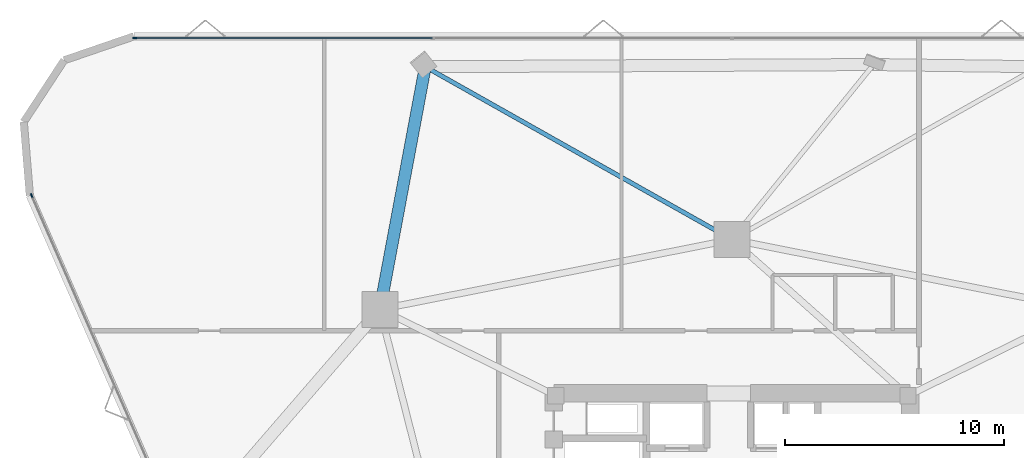
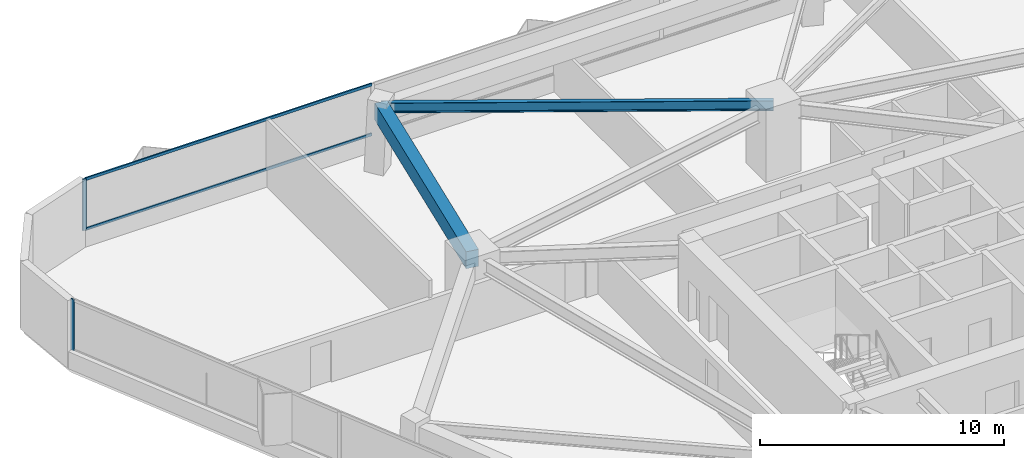
# One storey, part 12 of 20: 4 members, 2 beams, 2 elements without a shape of their own.
"""IFC4 building model written with IfcOpenShell, lengths in metres."""

from ifc_helpers import new_model, si_unit, direction, frame, origin, origin_2d, place, context, subcontext, project, spatial, rectangle, i_section, extrude, material, layer, layer_set, material_profile, profile_set, type_object, element, aggregate, save


model = new_model("IFC4")

# Units and contexts
model_context = context("Model", 3, precision=1e-05, world=origin(), true_north=direction((0.0, 1.0)))
body_context = subcontext(model_context, "Body", "Model", "MODEL_VIEW")
ifc_project = project(units=[si_unit("LENGTHUNIT", "METRE"), si_unit("AREAUNIT", "SQUARE_METRE"), si_unit("VOLUMEUNIT", "CUBIC_METRE"), si_unit("PLANEANGLEUNIT", "RADIAN"), si_unit("MASSUNIT", "GRAM", prefix="KILO")], contexts=[model_context])

# Site, building, storey
site_placement = place(None, origin())
site = spatial("IfcSite", under=ifc_project, at=site_placement, CompositionType="ELEMENT")
building_placement = place(site_placement, origin())
building = spatial("IfcBuilding", under=site, at=building_placement, Name="Talyreon Biosciences Tower", CompositionType="ELEMENT")
storey_placement = place(building_placement, frame((0.0, 0.0, 75.0)))
storey = spatial("IfcBuildingStorey", under=building, at=storey_placement, Name="L19", CompositionType="ELEMENT", Elevation=75.0)

# Curtain wall, member
ifc_material_1 = material(Name="Thermally broken aluminium and low-E glazing", Category="aluminium")
ifc_layer = layer(ifc_material_1, 0.18994140625)
ifc_layer_set = layer_set([ifc_layer], Name="Thermally broken aluminium and low-E glazing")
curtain_wall_type = type_object("IfcCurtainWallType", Name="CurtainWall_Zone2Genomics", PredefinedType="NOTDEFINED", material=ifc_layer_set)
curtain_wall_1_placement = place(storey_placement, origin())
curtain_wall_1 = element("IfcCurtainWall", 1, at=curtain_wall_1_placement, inside=storey, type_object=curtain_wall_type, Name="L19 Unitised Curtain Wall FCW-L19-00", PredefinedType="NOTDEFINED")
ifc_material_2 = material(Name="Anodised thermally broken aluminium", Category="aluminium")
ifc_material_profile_1 = material_profile(ifc_material_2, rectangle(XDim=0.06494140625, YDim=0.179931640625, at=origin_2d()), Name="ALUM MULLION 65x180")
ifc_profile_set_1 = profile_set([ifc_material_profile_1], Name="Anodised thermally broken aluminium")
member_type_1 = type_object("IfcMemberType", Name="CWMullion_65x180", PredefinedType="MULLION", material=ifc_profile_set_1)
member_1_placement = place(storey_placement, frame((33.972412109375, 83.804931640625, 0.81005859375), z_axis=(0.0, 0.0, 1.0), x_axis=(-0.916151953082, -0.400831135099, 0.0)))
member_1 = element("IfcMember", 2, at=member_1_placement, type_object=member_type_1, Name="CW3 mullion 6", PredefinedType="MULLION", context=body_context, shape_type="SweptSolid", body=[
    extrude(rectangle(XDim=0.06494140625, YDim=0.179931640625, at=origin_2d()), origin(), (0.0, 0.0, 1.0), 2.56494140625),
])
aggregate(curtain_wall_1, [member_1])

# Curtain wall, members
curtain_wall_2_placement = place(storey_placement, origin())
curtain_wall_2 = element("IfcCurtainWall", 3, at=curtain_wall_2_placement, inside=storey, type_object=curtain_wall_type, Name="L19 Unitised Curtain Wall FCW-L19-04", PredefinedType="NOTDEFINED")
member_2_placement = place(storey_placement, frame((38.6826171875, 91.007080078125, 0.81005859375), z_axis=(0.0, 0.0, 1.0), x_axis=(0.0, 1.0, 0.0)))
member_2 = element("IfcMember", 4, at=member_2_placement, type_object=member_type_1, Name="CW3 mullion 1", PredefinedType="MULLION", context=body_context, shape_type="SweptSolid", body=[
    extrude(rectangle(XDim=0.06494140625, YDim=0.179931640625, at=origin_2d()), origin(), (0.0, 0.0, 1.0), 2.56494140625),
])
ifc_material_profile_2 = material_profile(ifc_material_2, rectangle(XDim=0.06494140625, YDim=0.139892578125, at=origin_2d()), Name="ALUM TRANSOM 65x140")
ifc_profile_set_2 = profile_set([ifc_material_profile_2], Name="Anodised thermally broken aluminium")
member_type_2 = type_object("IfcMemberType", Name="CWTransom_65x140", PredefinedType="USERDEFINED", material=ifc_profile_set_2)
member_3_placement = place(storey_placement, frame((38.715087890625, 91.007080078125, 0.842529296875), z_axis=(1.0, 0.0, 0.0), x_axis=(0.0, 1.0, 0.0)))
member_3 = element("IfcMember", 5, at=member_3_placement, type_object=member_type_2, Name="CW3 transom 1.1", ObjectType="TRANSOM", PredefinedType="USERDEFINED", context=body_context, shape_type="SweptSolid", body=[
    extrude(rectangle(XDim=0.06494140625, YDim=0.139892578125, at=origin_2d()), origin(), (0.0, 0.0, 1.0), 13.577392578125),
])
member_4_placement = place(storey_placement, frame((38.715087890625, 91.007080078125, 3.342529296875), z_axis=(1.0, 0.0, 0.0), x_axis=(0.0, 1.0, 0.0)))
member_4 = element("IfcMember", 6, at=member_4_placement, type_object=member_type_2, Name="CW3 transom 1.2", ObjectType="TRANSOM", PredefinedType="USERDEFINED", context=body_context, shape_type="SweptSolid", body=[
    extrude(rectangle(XDim=0.06494140625, YDim=0.139892578125, at=origin_2d()), origin(), (0.0, 0.0, 1.0), 13.577392578125),
])
aggregate(curtain_wall_2, [member_2, member_3, member_4])

# Beams
ifc_material_3 = material(Name="Precast concrete C45/55", Category="concrete")
ifc_material_profile_3 = material_profile(ifc_material_3, rectangle(XDim=0.550048828125, YDim=0.85009765625, at=origin_2d()), Name="RCB 550x850")
ifc_profile_set_3 = profile_set([ifc_material_profile_3], Name="Precast concrete C45/55")
beam_type_1 = type_object("IfcBeamType", Name="ExpressedSpandrel_550x850", PredefinedType="SPANDREL", material=ifc_profile_set_3)
beam_1_placement = place(storey_placement, frame((51.97412109375, 89.6923828125, 2.949951171875), z_axis=(-0.183975074419, -0.982930909064, 0.0), x_axis=(0.982930909064, -0.183975074419, 0.0)))
element("IfcBeam", 7, at=beam_1_placement, inside=storey, type_object=beam_type_1, Name="L19 Expressed Horizontal Concrete Spandrel 08", PredefinedType="SPANDREL", context=body_context, shape_type="SweptSolid", body=[
    extrude(rectangle(XDim=0.550048828125, YDim=0.85009765625, at=origin_2d()), origin(), (0.0, 0.0, 1.0), 11.286376953125),
])
ifc_material_4 = material(Name="Steel SM355", Category="steel")
ifc_material_profile_4 = material_profile(ifc_material_4, i_section(OverallWidth=0.199951171875, OverallDepth=0.5, WebThickness=0.01025390625, FlangeThickness=0.01611328125, FilletRadius=0.02099609375, at=origin_2d()), Name="IPE500")
ifc_profile_set_4 = profile_set([ifc_material_profile_4], Name="Steel SM355")
beam_type_2 = type_object("IfcBeamType", Name="SteelJoist_IPE500", PredefinedType="JOIST", material=ifc_profile_set_4)
beam_2_placement = place(storey_placement, frame((66.0, 81.788818359375, 3.125), z_axis=(-0.871203507505, 0.490922039138, 0.0), x_axis=(-0.490922039138, -0.871203507505, 0.0)))
element("IfcBeam", 8, at=beam_2_placement, inside=storey, type_object=beam_type_2, Name="L19 Radial Composite Floor Joist PC-N2", PredefinedType="JOIST", context=body_context, shape_type="SweptSolid", body=[
    extrude(i_section(OverallWidth=0.199951171875, OverallDepth=0.5, WebThickness=0.01025390625, FlangeThickness=0.01611328125, FilletRadius=0.02099609375, at=origin_2d()), origin(), (0.0, 0.0, 1.0), 16.099365234375),
])

save(model, "model.ifc")
